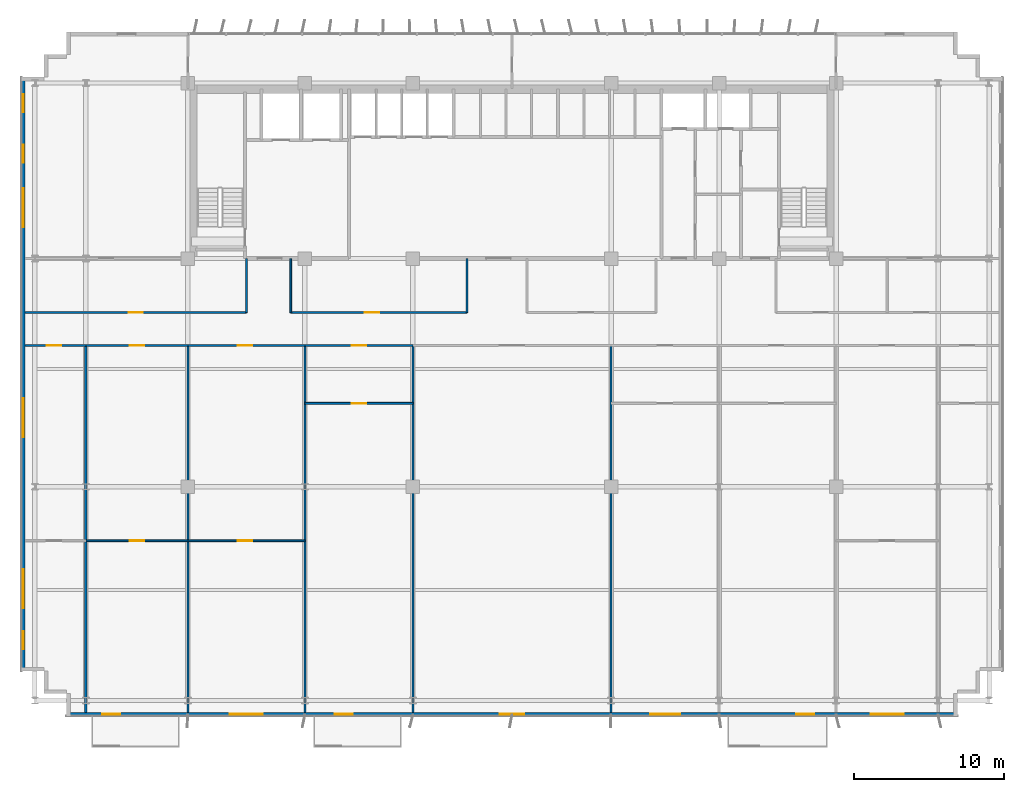
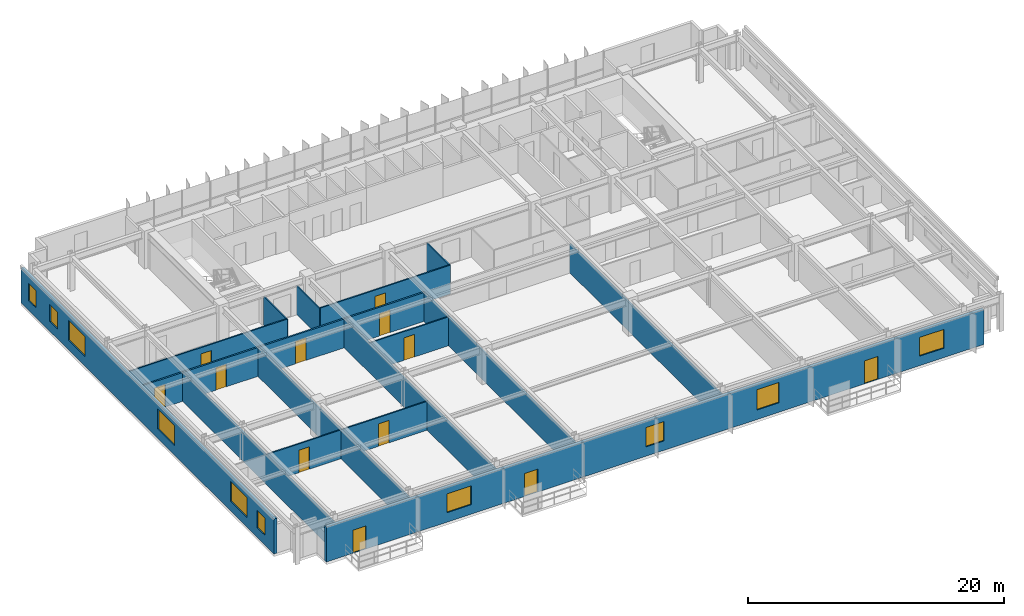
# One storey, part 15 of 21: 19 walls, 12 doors, 10 windows, 22 openings.
"""IFC4 building model written with IfcOpenShell, lengths in metres."""

from ifc_helpers import new_model, si_unit, direction, frame, frame_2d, origin, place, context, subcontext, project, spatial, rectangle, extrude, source, transform, mapped, material, layer, layer_set, type_object, element, fill, save


model = new_model("IFC4")

# Units and contexts
model_context = context("Model", 3, precision=1e-05, world=origin(), true_north=direction((0.0, 1.0)))
body_context = subcontext(model_context, "Body", "Model", "MODEL_VIEW")
ifc_project = project(units=[si_unit("LENGTHUNIT", "METRE"), si_unit("AREAUNIT", "SQUARE_METRE"), si_unit("VOLUMEUNIT", "CUBIC_METRE"), si_unit("PLANEANGLEUNIT", "RADIAN"), si_unit("MASSUNIT", "GRAM", prefix="KILO")], contexts=[model_context])

# Site, building, storey
site_placement = place(None, origin())
site = spatial("IfcSite", under=ifc_project, at=site_placement, CompositionType="ELEMENT")
building_placement = place(site_placement, origin())
building = spatial("IfcBuilding", under=site, at=building_placement, Name="Trelvane Seafront Commons", CompositionType="ELEMENT")
storey_placement = place(building_placement, frame((0.0, 0.0, 41.5)))
storey = spatial("IfcBuildingStorey", under=building, at=storey_placement, Name="L10", CompositionType="ELEMENT", Elevation=41.5)

# Wall, openings, windows
ifc_material_1 = material(Name="Precast concrete C40/50", Category="concrete")
ifc_layer_1 = layer(ifc_material_1, 0.260009765625, Name="ARCH-WALL-EXT260")
ifc_layer_set_1 = layer_set([ifc_layer_1], Name="Precast concrete C40/50")
wall_type_1 = type_object("IfcWallType", Name="ARCH-WALL-EXT260", PredefinedType="SOLIDWALL", material=ifc_layer_set_1)
wall_1_placement = place(storey_placement, frame((4.6298828125, 5.89990234375, 0.0), z_axis=(0.0, 0.0, 1.0), x_axis=(0.0, 1.0, 0.0)))
wall_1 = element("IfcWall", 1, at=wall_1_placement, inside=storey, type_object=wall_type_1, Name="EW-L10-00155", PredefinedType="SOLIDWALL", context=body_context, shape_type="SweptSolid", body=[
    extrude(rectangle(XDim=39.60009765625, YDim=0.260009765625, at=frame_2d((19.800048828125, 0.0))), origin(), (0.0, 0.0, 1.0), 3.340087890625),
])
opening_1_placement = place(wall_1_placement, frame((1.449951171875, 0.0, 0.919921875)))
opening_1 = element("IfcOpeningElement", 2, at=opening_1_placement, cuts=wall_1, Name="Opening W05", PredefinedType="OPENING", context=body_context, shape_type="SweptSolid", body=[
    extrude(rectangle(XDim=1.199951171875, YDim=1.64990234375, at=frame_2d((0.60009765625, 0.824951171875))), frame((0.0, 0.139892578125, 0.0), z_axis=(0.0, -1.0, 0.0), x_axis=(1.0, 0.0, 0.0)), (0.0, 0.0, 1.0), 0.280029296875),
])
opening_2_placement = place(wall_1_placement, frame((4.199951171875, 0.0, 0.919921875)))
opening_2 = element("IfcOpeningElement", 3, at=opening_2_placement, cuts=wall_1, Name="Opening W04", PredefinedType="OPENING", context=body_context, shape_type="SweptSolid", body=[
    extrude(rectangle(XDim=2.60009765625, YDim=1.89990234375, at=frame_2d((1.300048828125, 0.949951171875))), frame((0.0, 0.139892578125, 0.0), z_axis=(0.0, -1.0, 0.0), x_axis=(1.0, 0.0, 0.0)), (0.0, 0.0, 1.0), 0.280029296875),
])
opening_3_placement = place(wall_1_placement, frame((15.60009765625, 0.0, 0.919921875)))
opening_3 = element("IfcOpeningElement", 4, at=opening_3_placement, cuts=wall_1, Name="Opening W04", PredefinedType="OPENING", context=body_context, shape_type="SweptSolid", body=[
    extrude(rectangle(XDim=2.60009765625, YDim=1.89990234375, at=frame_2d((1.300048828125, 0.949951171875))), frame((0.0, 0.139892578125, 0.0), z_axis=(0.0, -1.0, 0.0), x_axis=(1.0, 0.0, 0.0)), (0.0, 0.0, 1.0), 0.280029296875),
])
opening_4_placement = place(wall_1_placement, frame((29.60009765625, 0.0, 0.919921875)))
opening_4 = element("IfcOpeningElement", 5, at=opening_4_placement, cuts=wall_1, Name="Opening W04", PredefinedType="OPENING", context=body_context, shape_type="SweptSolid", body=[
    extrude(rectangle(XDim=2.60009765625, YDim=1.89990234375, at=frame_2d((1.300048828125, 0.949951171875))), frame((0.0, 0.139892578125, 0.0), z_axis=(0.0, -1.0, 0.0), x_axis=(1.0, 0.0, 0.0)), (0.0, 0.0, 1.0), 0.280029296875),
])
opening_5_placement = place(wall_1_placement, frame((33.89990234375, 0.0, 0.919921875)))
opening_5 = element("IfcOpeningElement", 6, at=opening_5_placement, cuts=wall_1, Name="Opening W05", PredefinedType="OPENING", context=body_context, shape_type="SweptSolid", body=[
    extrude(rectangle(XDim=1.199951171875, YDim=1.64990234375, at=frame_2d((0.60009765625, 0.824951171875))), frame((0.0, 0.139892578125, 0.0), z_axis=(0.0, -1.0, 0.0), x_axis=(1.0, 0.0, 0.0)), (0.0, 0.0, 1.0), 0.280029296875),
])
opening_6_placement = place(wall_1_placement, frame((37.25, 0.0, 0.919921875)))
opening_6 = element("IfcOpeningElement", 7, at=opening_6_placement, cuts=wall_1, Name="Opening W05", PredefinedType="OPENING", context=body_context, shape_type="SweptSolid", body=[
    extrude(rectangle(XDim=1.199951171875, YDim=1.64990234375, at=frame_2d((0.60009765625, 0.824951171875))), frame((0.0, 0.139892578125, 0.0), z_axis=(0.0, -1.0, 0.0), x_axis=(1.0, 0.0, 0.0)), (0.0, 0.0, 1.0), 0.280029296875),
])
ifc_material_2 = material(Name="Low-E coastal double glazing", Category="glass")
window_type_1 = type_object("IfcWindowType", Name="ARCH-WIN-W04", PartitioningType="SINGLE_PANEL", PredefinedType="WINDOW", material=ifc_material_2)
shared_shape_1 = source(origin(), body_context, "Body", "SweptSolid", [
    extrude(rectangle(XDim=2.60009765625, YDim=1.89990234375, at=frame_2d((1.300048828125, 0.949951171875))), frame((0.0, 0.030029296875, 0.0), z_axis=(0.0, -1.0, 0.0), x_axis=(1.0, 0.0, 0.0)), (0.0, 0.0, 1.0), 0.06005859375),
])
window_1_placement = place(opening_2_placement, origin())
window_1 = element("IfcWindow", 8, at=window_1_placement, inside=storey, type_object=window_type_1, Name="WIN-L10-EW-00195", OverallHeight=1.89990234375, OverallWidth=2.60009765625, PartitioningType="SINGLE_PANEL", PredefinedType="WINDOW", context=body_context, shape_type="MappedRepresentation", body=[
    mapped(shared_shape_1, transform((0.0, 0.0, 0.0), x_axis=(1.0, 0.0, 0.0), y_axis=(0.0, 1.0, 0.0), z_axis=(0.0, 0.0, 1.0), scale=1.0)),
])
fill(opening_2, window_1)
window_2_placement = place(opening_3_placement, origin())
window_2 = element("IfcWindow", 9, at=window_2_placement, inside=storey, type_object=window_type_1, Name="WIN-L10-EW-00196", OverallHeight=1.89990234375, OverallWidth=2.60009765625, PartitioningType="SINGLE_PANEL", PredefinedType="WINDOW", context=body_context, shape_type="MappedRepresentation", body=[
    mapped(shared_shape_1, transform((0.0, 0.0, 0.0), x_axis=(1.0, 0.0, 0.0), y_axis=(0.0, 1.0, 0.0), z_axis=(0.0, 0.0, 1.0), scale=1.0)),
])
fill(opening_3, window_2)
window_3_placement = place(opening_4_placement, origin())
window_3 = element("IfcWindow", 10, at=window_3_placement, inside=storey, type_object=window_type_1, Name="WIN-L10-EW-00197", OverallHeight=1.89990234375, OverallWidth=2.60009765625, PartitioningType="SINGLE_PANEL", PredefinedType="WINDOW", context=body_context, shape_type="MappedRepresentation", body=[
    mapped(shared_shape_1, transform((0.0, 0.0, 0.0), x_axis=(1.0, 0.0, 0.0), y_axis=(0.0, 1.0, 0.0), z_axis=(0.0, 0.0, 1.0), scale=1.0)),
])
fill(opening_4, window_3)
window_type_2 = type_object("IfcWindowType", Name="ARCH-WIN-W05", PartitioningType="SINGLE_PANEL", PredefinedType="WINDOW", material=ifc_material_2)
shared_shape_2 = source(origin(), body_context, "Body", "SweptSolid", [
    extrude(rectangle(XDim=1.199951171875, YDim=1.64990234375, at=frame_2d((0.60009765625, 0.824951171875))), frame((0.0, 0.030029296875, 0.0), z_axis=(0.0, -1.0, 0.0), x_axis=(1.0, 0.0, 0.0)), (0.0, 0.0, 1.0), 0.06005859375),
])
window_4_placement = place(opening_1_placement, origin())
window_4 = element("IfcWindow", 11, at=window_4_placement, inside=storey, type_object=window_type_2, Name="WIN-L10-EW-00194", OverallHeight=1.64990234375, OverallWidth=1.199951171875, PartitioningType="SINGLE_PANEL", PredefinedType="WINDOW", context=body_context, shape_type="MappedRepresentation", body=[
    mapped(shared_shape_2, transform((0.0, 0.0, 0.0), x_axis=(1.0, 0.0, 0.0), y_axis=(0.0, 1.0, 0.0), z_axis=(0.0, 0.0, 1.0), scale=1.0)),
])
fill(opening_1, window_4)
window_5_placement = place(opening_5_placement, origin())
window_5 = element("IfcWindow", 12, at=window_5_placement, inside=storey, type_object=window_type_2, Name="WIN-L10-EW-00198", OverallHeight=1.64990234375, OverallWidth=1.199951171875, PartitioningType="SINGLE_PANEL", PredefinedType="WINDOW", context=body_context, shape_type="MappedRepresentation", body=[
    mapped(shared_shape_2, transform((0.0, 0.0, 0.0), x_axis=(1.0, 0.0, 0.0), y_axis=(0.0, 1.0, 0.0), z_axis=(0.0, 0.0, 1.0), scale=1.0)),
])
fill(opening_5, window_5)
window_6_placement = place(opening_6_placement, origin())
window_6 = element("IfcWindow", 13, at=window_6_placement, inside=storey, type_object=window_type_2, Name="WIN-L10-EW-00199", OverallHeight=1.64990234375, OverallWidth=1.199951171875, PartitioningType="SINGLE_PANEL", PredefinedType="WINDOW", context=body_context, shape_type="MappedRepresentation", body=[
    mapped(shared_shape_2, transform((0.0, 0.0, 0.0), x_axis=(1.0, 0.0, 0.0), y_axis=(0.0, 1.0, 0.0), z_axis=(0.0, 0.0, 1.0), scale=1.0)),
])
fill(opening_6, window_6)

# Wall, openings, doors, windows
wall_2_placement = place(storey_placement, frame((66.89990234375, 3.030029296875, 0.0), z_axis=(0.0, 0.0, 1.0), x_axis=(-1.0, 0.0, 0.0)))
wall_2 = element("IfcWall", 14, at=wall_2_placement, inside=storey, type_object=wall_type_1, Name="EW-L10-00169", PredefinedType="SOLIDWALL", context=body_context, shape_type="SweptSolid", body=[
    extrude(rectangle(XDim=59.39990234375, YDim=0.260009765625, at=frame_2d((29.699951171875, 0.0))), origin(), (0.0, 0.0, 1.0), 3.340087890625),
])
opening_7_placement = place(wall_2_placement, frame((3.60009765625, 0.0, 0.89990234375)))
opening_7 = element("IfcOpeningElement", 15, at=opening_7_placement, cuts=wall_2, Name="Opening W02", PredefinedType="OPENING", context=body_context, shape_type="SweptSolid", body=[
    extrude(rectangle(XDim=2.199951171875, YDim=1.800048828125, at=frame_2d((1.10009765625, 0.89990234375))), frame((0.0, 0.139892578125, 0.0), z_axis=(0.0, -1.0, 0.0), x_axis=(1.0, 0.0, 0.0)), (0.0, 0.0, 1.0), 0.280029296875),
])
opening_8_placement = place(wall_2_placement, frame((9.56494140625, 0.0, 0.0)))
opening_8 = element("IfcOpeningElement", 16, at=opening_8_placement, cuts=wall_2, Name="Opening BD-L10-27", PredefinedType="OPENING", context=body_context, shape_type="SweptSolid", body=[
    extrude(rectangle(XDim=1.199951171875, YDim=2.199951171875, at=frame_2d((0.60009765625, 1.10009765625))), frame((0.0, 0.139892578125, 0.0), z_axis=(0.0, -1.0, 0.0), x_axis=(1.0, 0.0, 0.0)), (0.0, 0.0, 1.0), 0.280029296875),
])
opening_9_placement = place(wall_2_placement, frame((18.5, 0.0, 0.89990234375)))
opening_9 = element("IfcOpeningElement", 17, at=opening_9_placement, cuts=wall_2, Name="Opening W06", PredefinedType="OPENING", context=body_context, shape_type="SweptSolid", body=[
    extrude(rectangle(XDim=2.0, YDim=1.949951171875, at=frame_2d((1.0, 0.97509765625))), frame((0.0, 0.139892578125, 0.0), z_axis=(0.0, -1.0, 0.0), x_axis=(1.0, 0.0, 0.0)), (0.0, 0.0, 1.0), 0.280029296875),
])
opening_10_placement = place(wall_2_placement, frame((28.875, 0.0, 0.89990234375)))
opening_10 = element("IfcOpeningElement", 18, at=opening_10_placement, cuts=wall_2, Name="Opening W07", PredefinedType="OPENING", context=body_context, shape_type="SweptSolid", body=[
    extrude(rectangle(XDim=1.64990234375, YDim=1.85009765625, at=frame_2d((0.824951171875, 0.925048828125))), frame((0.0, 0.139892578125, 0.0), z_axis=(0.0, -1.0, 0.0), x_axis=(1.0, 0.0, 0.0)), (0.0, 0.0, 1.0), 0.280029296875),
])
opening_11_placement = place(wall_2_placement, frame((40.301025390625, 0.0, 0.0)))
opening_11 = element("IfcOpeningElement", 19, at=opening_11_placement, cuts=wall_2, Name="Opening BD-L10-28", PredefinedType="OPENING", context=body_context, shape_type="SweptSolid", body=[
    extrude(rectangle(XDim=1.199951171875, YDim=2.199951171875, at=frame_2d((0.60009765625, 1.10009765625))), frame((0.0, 0.139892578125, 0.0), z_axis=(0.0, -1.0, 0.0), x_axis=(1.0, 0.0, 0.0)), (0.0, 0.0, 1.0), 0.280029296875),
])
opening_12_placement = place(wall_2_placement, frame((46.300048828125, 0.0, 0.89990234375)))
opening_12 = element("IfcOpeningElement", 20, at=opening_12_placement, cuts=wall_2, Name="Opening W02", PredefinedType="OPENING", context=body_context, shape_type="SweptSolid", body=[
    extrude(rectangle(XDim=2.199951171875, YDim=1.800048828125, at=frame_2d((1.10009765625, 0.89990234375))), frame((0.0, 0.139892578125, 0.0), z_axis=(0.0, -1.0, 0.0), x_axis=(1.0, 0.0, 0.0)), (0.0, 0.0, 1.0), 0.280029296875),
])
opening_13_placement = place(wall_2_placement, frame((55.81689453125, 0.0, 0.0)))
opening_13 = element("IfcOpeningElement", 21, at=opening_13_placement, cuts=wall_2, Name="Opening BD-L10-29", PredefinedType="OPENING", context=body_context, shape_type="SweptSolid", body=[
    extrude(rectangle(XDim=1.199951171875, YDim=2.199951171875, at=frame_2d((0.60009765625, 1.10009765625))), frame((0.0, 0.139892578125, 0.0), z_axis=(0.0, -1.0, 0.0), x_axis=(1.0, 0.0, 0.0)), (0.0, 0.0, 1.0), 0.280029296875),
])
ifc_material_3 = material(Name="Powder-coated aluminium frame", Category="aluminium")
door_type_1 = type_object("IfcDoorType", Name="ARCH-DR-BAL1200", OperationType="NOTDEFINED", PredefinedType="DOOR", material=ifc_material_3)
shared_shape_3 = source(origin(), body_context, "Body", "SweptSolid", [
    extrude(rectangle(XDim=1.199951171875, YDim=2.199951171875, at=frame_2d((0.60009765625, 1.10009765625))), frame((0.0, 0.02490234375, 0.0), z_axis=(0.0, -1.0, 0.0), x_axis=(1.0, 0.0, 0.0)), (0.0, 0.0, 1.0), 0.050048828125),
])
door_1_placement = place(opening_8_placement, origin())
door_1 = element("IfcDoor", 22, at=door_1_placement, inside=storey, type_object=door_type_1, Name="L10 Balcony Terrace Access Door", OperationType="SINGLE_SWING_LEFT", OverallHeight=2.199951171875, OverallWidth=1.199951171875, PredefinedType="DOOR", context=body_context, shape_type="MappedRepresentation", body=[
    mapped(shared_shape_3, transform((0.0, 0.0, 0.0), x_axis=(1.0, 0.0, 0.0), y_axis=(0.0, 1.0, 0.0), z_axis=(0.0, 0.0, 1.0), scale=1.0)),
])
fill(opening_8, door_1)
door_2_placement = place(opening_11_placement, origin())
door_2 = element("IfcDoor", 23, at=door_2_placement, inside=storey, type_object=door_type_1, Name="L10 Balcony Terrace Access Door", OperationType="SINGLE_SWING_LEFT", OverallHeight=2.199951171875, OverallWidth=1.199951171875, PredefinedType="DOOR", context=body_context, shape_type="MappedRepresentation", body=[
    mapped(shared_shape_3, transform((0.0, 0.0, 0.0), x_axis=(1.0, 0.0, 0.0), y_axis=(0.0, 1.0, 0.0), z_axis=(0.0, 0.0, 1.0), scale=1.0)),
])
fill(opening_11, door_2)
door_3_placement = place(opening_13_placement, origin())
door_3 = element("IfcDoor", 24, at=door_3_placement, inside=storey, type_object=door_type_1, Name="L10 Balcony Terrace Access Door", OperationType="SINGLE_SWING_LEFT", OverallHeight=2.199951171875, OverallWidth=1.199951171875, PredefinedType="DOOR", context=body_context, shape_type="MappedRepresentation", body=[
    mapped(shared_shape_3, transform((0.0, 0.0, 0.0), x_axis=(1.0, 0.0, 0.0), y_axis=(0.0, 1.0, 0.0), z_axis=(0.0, 0.0, 1.0), scale=1.0)),
])
fill(opening_13, door_3)
window_type_3 = type_object("IfcWindowType", Name="ARCH-WIN-W02", PartitioningType="SINGLE_PANEL", PredefinedType="WINDOW", material=ifc_material_2)
shared_shape_4 = source(origin(), body_context, "Body", "SweptSolid", [
    extrude(rectangle(XDim=2.199951171875, YDim=1.800048828125, at=frame_2d((1.10009765625, 0.89990234375))), frame((0.0, 0.030029296875, 0.0), z_axis=(0.0, -1.0, 0.0), x_axis=(1.0, 0.0, 0.0)), (0.0, 0.0, 1.0), 0.06005859375),
])
window_7_placement = place(opening_7_placement, origin())
window_7 = element("IfcWindow", 25, at=window_7_placement, inside=storey, type_object=window_type_3, Name="WIN-L10-00206", OverallHeight=1.800048828125, OverallWidth=2.199951171875, PartitioningType="SINGLE_PANEL", PredefinedType="WINDOW", context=body_context, shape_type="MappedRepresentation", body=[
    mapped(shared_shape_4, transform((0.0, 0.0, 0.0), x_axis=(1.0, 0.0, 0.0), y_axis=(0.0, 1.0, 0.0), z_axis=(0.0, 0.0, 1.0), scale=1.0)),
])
fill(opening_7, window_7)
window_8_placement = place(opening_12_placement, origin())
window_8 = element("IfcWindow", 26, at=window_8_placement, inside=storey, type_object=window_type_3, Name="WIN-L10-00209", OverallHeight=1.800048828125, OverallWidth=2.199951171875, PartitioningType="SINGLE_PANEL", PredefinedType="WINDOW", context=body_context, shape_type="MappedRepresentation", body=[
    mapped(shared_shape_4, transform((0.0, 0.0, 0.0), x_axis=(1.0, 0.0, 0.0), y_axis=(0.0, 1.0, 0.0), z_axis=(0.0, 0.0, 1.0), scale=1.0)),
])
fill(opening_12, window_8)
window_type_4 = type_object("IfcWindowType", Name="ARCH-WIN-W06", PartitioningType="SINGLE_PANEL", PredefinedType="WINDOW", material=ifc_material_2)
shared_shape_5 = source(origin(), body_context, "Body", "SweptSolid", [
    extrude(rectangle(XDim=2.0, YDim=1.949951171875, at=frame_2d((1.0, 0.97509765625))), frame((0.0, 0.030029296875, 0.0), z_axis=(0.0, -1.0, 0.0), x_axis=(1.0, 0.0, 0.0)), (0.0, 0.0, 1.0), 0.06005859375),
])
window_9_placement = place(opening_9_placement, origin())
window_9 = element("IfcWindow", 27, at=window_9_placement, inside=storey, type_object=window_type_4, Name="WIN-L10-00207", OverallHeight=1.949951171875, OverallWidth=2.0, PartitioningType="SINGLE_PANEL", PredefinedType="WINDOW", context=body_context, shape_type="MappedRepresentation", body=[
    mapped(shared_shape_5, transform((0.0, 0.0, 0.0), x_axis=(1.0, 0.0, 0.0), y_axis=(0.0, 1.0, 0.0), z_axis=(0.0, 0.0, 1.0), scale=1.0)),
])
fill(opening_9, window_9)
window_type_5 = type_object("IfcWindowType", Name="ARCH-WIN-W07", PartitioningType="SINGLE_PANEL", PredefinedType="WINDOW", material=ifc_material_2)
shared_shape_6 = source(origin(), body_context, "Body", "SweptSolid", [
    extrude(rectangle(XDim=1.64990234375, YDim=1.85009765625, at=frame_2d((0.824951171875, 0.925048828125))), frame((0.0, 0.030029296875, 0.0), z_axis=(0.0, -1.0, 0.0), x_axis=(1.0, 0.0, 0.0)), (0.0, 0.0, 1.0), 0.06005859375),
])
window_10_placement = place(opening_10_placement, origin())
window_10 = element("IfcWindow", 28, at=window_10_placement, inside=storey, type_object=window_type_5, Name="WIN-L10-00208", OverallHeight=1.85009765625, OverallWidth=1.64990234375, PartitioningType="SINGLE_PANEL", PredefinedType="WINDOW", context=body_context, shape_type="MappedRepresentation", body=[
    mapped(shared_shape_6, transform((0.0, 0.0, 0.0), x_axis=(1.0, 0.0, 0.0), y_axis=(0.0, 1.0, 0.0), z_axis=(0.0, 0.0, 1.0), scale=1.0)),
])
fill(opening_10, window_10)

# Wall, opening, door
ifc_material_4 = material(Name="Gypsum Drywall Acoustic Partition")
ifc_layer_2 = layer(ifc_material_4, 0.1201171875, Name="ARCH-WALL-PART120")
ifc_layer_set_2 = layer_set([ifc_layer_2], Name="Gypsum Drywall Acoustic Partition")
wall_type_2 = type_object("IfcWallType", Name="ARCH-WALL-PART120", PredefinedType="PARTITIONING", material=ifc_layer_set_2)
wall_3_placement = place(storey_placement, frame((4.75, 29.800048828125, 0.0), z_axis=(0.0, 0.0, 1.0), x_axis=(1.0, 0.0, 0.0)))
wall_3 = element("IfcWall", 29, at=wall_3_placement, inside=storey, type_object=wall_type_2, Name="W-L10-CORR-N-W-038", PredefinedType="PARTITIONING", context=body_context, shape_type="SweptSolid", body=[
    extrude(rectangle(XDim=14.75, YDim=0.1201171875, at=frame_2d((7.375, 0.0))), origin(), (0.0, 0.0, 1.0), 2.751953125),
])
opening_14_placement = place(wall_3_placement, frame((6.89990234375, 0.0, 0.0)))
opening_14 = element("IfcOpeningElement", 30, at=opening_14_placement, cuts=wall_3, Name="Opening D-L10-18", PredefinedType="OPENING", context=body_context, shape_type="SweptSolid", body=[
    extrude(rectangle(XDim=0.949951171875, YDim=2.14990234375, at=frame_2d((0.47509765625, 1.074951171875))), frame((0.0, 0.070068359375, 0.0), z_axis=(0.0, -1.0, 0.0), x_axis=(1.0, 0.0, 0.0)), (0.0, 0.0, 1.0), 0.14013671875),
])
ifc_material_5 = material(Name="Acoustic timber door leaf", Category="wood")
door_type_2 = type_object("IfcDoorType", Name="ARCH-DR-INT950", OperationType="NOTDEFINED", PredefinedType="DOOR", material=ifc_material_5)
shared_shape_7 = source(origin(), body_context, "Body", "SweptSolid", [
    extrude(rectangle(XDim=0.949951171875, YDim=2.14990234375, at=frame_2d((0.47509765625, 1.074951171875))), frame((0.0, 0.02490234375, 0.0), z_axis=(0.0, -1.0, 0.0), x_axis=(1.0, 0.0, 0.0)), (0.0, 0.0, 1.0), 0.050048828125),
])
door_4_placement = place(opening_14_placement, origin())
door_4 = element("IfcDoor", 31, at=door_4_placement, inside=storey, type_object=door_type_2, Name="L10 Door 18", OperationType="SINGLE_SWING_RIGHT", OverallHeight=2.14990234375, OverallWidth=0.949951171875, PredefinedType="DOOR", context=body_context, shape_type="MappedRepresentation", body=[
    mapped(shared_shape_7, transform((0.0, 0.0, 0.0), x_axis=(1.0, 0.0, 0.0), y_axis=(0.0, 1.0, 0.0), z_axis=(0.0, 0.0, 1.0), scale=1.0)),
])
fill(opening_14, door_4)

wall_4_placement = place(storey_placement, frame((22.449951171875, 29.800048828125, 0.0), z_axis=(0.0, 0.0, 1.0), x_axis=(1.0, 0.0, 0.0)))
wall_4 = element("IfcWall", 32, at=wall_4_placement, inside=storey, type_object=wall_type_2, Name="W-L10-CORR-N-M1-039", PredefinedType="PARTITIONING", context=body_context, shape_type="SweptSolid", body=[
    extrude(rectangle(XDim=11.75, YDim=0.1201171875, at=frame_2d((5.875, 0.0))), origin(), (0.0, 0.0, 1.0), 2.751953125),
])
opening_15_placement = place(wall_4_placement, frame((4.944091796875, 0.0, 0.0)))
opening_15 = element("IfcOpeningElement", 33, at=opening_15_placement, cuts=wall_4, Name="Opening D-L10-19", PredefinedType="OPENING", context=body_context, shape_type="SweptSolid", body=[
    extrude(rectangle(XDim=0.949951171875, YDim=2.14990234375, at=frame_2d((0.47509765625, 1.074951171875))), frame((0.0, 0.070068359375, 0.0), z_axis=(0.0, -1.0, 0.0), x_axis=(1.0, 0.0, 0.0)), (0.0, 0.0, 1.0), 0.14013671875),
])
door_5_placement = place(opening_15_placement, origin())
door_5 = element("IfcDoor", 34, at=door_5_placement, inside=storey, type_object=door_type_2, Name="L10 Door 19", OperationType="SINGLE_SWING_LEFT", OverallHeight=2.14990234375, OverallWidth=0.949951171875, PredefinedType="DOOR", context=body_context, shape_type="MappedRepresentation", body=[
    mapped(shared_shape_7, transform((0.0, 0.0, 0.0), x_axis=(1.0, 0.0, 0.0), y_axis=(0.0, 1.0, 0.0), z_axis=(0.0, 0.0, 1.0), scale=1.0)),
])
fill(opening_15, door_5)

# Walls
for number, where, z_axis, x_axis, name in (
    (35, (19.5, 29.800048828125, 0.0), (0.0, 0.0, 1.0), (0.0, 1.0, 0.0), "W-L10-N-SPUR-W1-043"),
    (36, (22.449951171875, 29.800048828125, 0.0), (0.0, 0.0, 1.0), (0.0, 1.0, 0.0), "W-L10-N-SPUR-W2-044"),
    (37, (34.199951171875, 29.800048828125, 0.0), (0.0, 0.0, 1.0), (0.0, 1.0, 0.0), "W-L10-N-SPUR-M1-045"),
):
    element("IfcWall", number, at=place(storey_placement, frame(where, z_axis=z_axis, x_axis=x_axis)), inside=storey, type_object=wall_type_2, Name=name, PredefinedType="PARTITIONING", context=body_context, shape_type="SweptSolid", body=[
        extrude(rectangle(XDim=3.599853515625, YDim=0.1201171875, at=frame_2d((1.7998046875, 0.0))), origin(), (0.0, 0.0, 1.0), 2.68994140625),
    ])

# Wall, opening, door
wall_5_placement = place(storey_placement, frame((8.800048828125, 14.60009765625, 0.0), z_axis=(0.0, 0.0, 1.0), x_axis=(1.0, 0.0, 0.0)))
wall_5 = element("IfcWall", 38, at=wall_5_placement, inside=storey, type_object=wall_type_2, Name="W-L10-U2-DIV-065", PredefinedType="PARTITIONING", context=body_context, shape_type="SweptSolid", body=[
    extrude(rectangle(XDim=6.800048828125, YDim=0.1201171875, at=frame_2d((3.39990234375, 0.0))), origin(), (0.0, 0.0, 1.0), 2.751953125),
])
opening_16_placement = place(wall_5_placement, frame((2.925048828125, 0.0, 0.0)))
opening_16 = element("IfcOpeningElement", 39, at=opening_16_placement, cuts=wall_5, Name="Opening D-L10-31", PredefinedType="OPENING", context=body_context, shape_type="SweptSolid", body=[
    extrude(rectangle(XDim=0.949951171875, YDim=2.14990234375, at=frame_2d((0.47509765625, 1.074951171875))), frame((0.0, 0.070068359375, 0.0), z_axis=(0.0, -1.0, 0.0), x_axis=(1.0, 0.0, 0.0)), (0.0, 0.0, 1.0), 0.14013671875),
])
door_6_placement = place(opening_16_placement, origin())
door_6 = element("IfcDoor", 40, at=door_6_placement, inside=storey, type_object=door_type_2, Name="L10 Door 31", OperationType="SINGLE_SWING_LEFT", OverallHeight=2.14990234375, OverallWidth=0.949951171875, PredefinedType="DOOR", context=body_context, shape_type="MappedRepresentation", body=[
    mapped(shared_shape_7, transform((0.0, 0.0, 0.0), x_axis=(1.0, 0.0, 0.0), y_axis=(0.0, 1.0, 0.0), z_axis=(0.0, 0.0, 1.0), scale=1.0)),
])
fill(opening_16, door_6)

wall_6_placement = place(storey_placement, frame((15.60009765625, 14.60009765625, 0.0), z_axis=(0.0, 0.0, 1.0), x_axis=(1.0, 0.0, 0.0)))
wall_6 = element("IfcWall", 41, at=wall_6_placement, inside=storey, type_object=wall_type_2, Name="W-L10-U3-DIV-067", PredefinedType="PARTITIONING", context=body_context, shape_type="SweptSolid", body=[
    extrude(rectangle(XDim=7.7998046875, YDim=0.1201171875, at=frame_2d((3.89990234375, 0.0))), origin(), (0.0, 0.0, 1.0), 2.751953125),
])
opening_17_placement = place(wall_6_placement, frame((3.3330078125, 0.0, 0.0)))
opening_17 = element("IfcOpeningElement", 42, at=opening_17_placement, cuts=wall_6, Name="Opening D-L10-33", PredefinedType="OPENING", context=body_context, shape_type="SweptSolid", body=[
    extrude(rectangle(XDim=0.949951171875, YDim=2.14990234375, at=frame_2d((0.47509765625, 1.074951171875))), frame((0.0, 0.070068359375, 0.0), z_axis=(0.0, -1.0, 0.0), x_axis=(1.0, 0.0, 0.0)), (0.0, 0.0, 1.0), 0.14013671875),
])
door_7_placement = place(opening_17_placement, origin())
door_7 = element("IfcDoor", 43, at=door_7_placement, inside=storey, type_object=door_type_2, Name="L10 Door 33", OperationType="SINGLE_SWING_LEFT", OverallHeight=2.14990234375, OverallWidth=0.949951171875, PredefinedType="DOOR", context=body_context, shape_type="MappedRepresentation", body=[
    mapped(shared_shape_7, transform((0.0, 0.0, 0.0), x_axis=(1.0, 0.0, 0.0), y_axis=(0.0, 1.0, 0.0), z_axis=(0.0, 0.0, 1.0), scale=1.0)),
])
fill(opening_17, door_7)

wall_7_placement = place(storey_placement, frame((23.39990234375, 23.75, 0.0), z_axis=(0.0, 0.0, 1.0), x_axis=(1.0, 0.0, 0.0)))
wall_7 = element("IfcWall", 44, at=wall_7_placement, inside=storey, type_object=wall_type_2, Name="W-L10-U4-DIV-069", PredefinedType="PARTITIONING", context=body_context, shape_type="SweptSolid", body=[
    extrude(rectangle(XDim=7.2001953125, YDim=0.1201171875, at=frame_2d((3.60009765625, 0.0))), origin(), (0.0, 0.0, 1.0), 2.751953125),
])
opening_18_placement = place(wall_7_placement, frame((3.125, 0.0, 0.0)))
opening_18 = element("IfcOpeningElement", 45, at=opening_18_placement, cuts=wall_7, Name="Opening D-L10-35", PredefinedType="OPENING", context=body_context, shape_type="SweptSolid", body=[
    extrude(rectangle(XDim=0.949951171875, YDim=2.14990234375, at=frame_2d((0.47509765625, 1.074951171875))), frame((0.0, 0.070068359375, 0.0), z_axis=(0.0, -1.0, 0.0), x_axis=(1.0, 0.0, 0.0)), (0.0, 0.0, 1.0), 0.14013671875),
])
door_8_placement = place(opening_18_placement, origin())
door_8 = element("IfcDoor", 46, at=door_8_placement, inside=storey, type_object=door_type_2, Name="L10 Door 35", OperationType="SINGLE_SWING_LEFT", OverallHeight=2.14990234375, OverallWidth=0.949951171875, PredefinedType="DOOR", context=body_context, shape_type="MappedRepresentation", body=[
    mapped(shared_shape_7, transform((0.0, 0.0, 0.0), x_axis=(1.0, 0.0, 0.0), y_axis=(0.0, 1.0, 0.0), z_axis=(0.0, 0.0, 1.0), scale=1.0)),
])
fill(opening_18, door_8)

# Walls
ifc_layer_3 = layer(ifc_material_4, 0.14990234375, Name="ARCH-WALL-PART150")
ifc_layer_set_3 = layer_set([ifc_layer_3], Name="Gypsum Drywall Acoustic Partition")
wall_type_3 = type_object("IfcWallType", Name="ARCH-WALL-PART150", PredefinedType="PARTITIONING", material=ifc_layer_set_3)
for number, where, z_axis, x_axis, name in (
    (47, (8.800048828125, 3.14501953125, 0.0), (0.0, 0.0, 1.0), (0.0, 1.0, 0.0), "W-L10-PW-1-054"),
    (48, (15.60009765625, 3.14501953125, 0.0), (0.0, 0.0, 1.0), (0.0, 1.0, 0.0), "W-L10-PW-2-055"),
    (49, (23.39990234375, 3.14501953125, 0.0), (0.0, 0.0, 1.0), (0.0, 1.0, 0.0), "W-L10-PW-3-056"),
    (50, (30.60009765625, 3.14501953125, 0.0), (0.0, 0.0, 1.0), (0.0, 1.0, 0.0), "W-L10-PW-4-057"),
    (51, (43.800048828125, 3.14501953125, 0.0), (0.0, 0.0, 1.0), (0.0, 1.0, 0.0), "W-L10-PW-5-058"),
):
    element("IfcWall", number, at=place(storey_placement, frame(where, z_axis=z_axis, x_axis=x_axis)), inside=storey, type_object=wall_type_3, Name=name, PredefinedType="PARTITIONING", context=body_context, shape_type="SweptSolid", body=[
        extrude(rectangle(XDim=24.455078125, YDim=0.14990234375, at=frame_2d((12.2275390625, 0.0))), origin(), (0.0, 0.0, 1.0), 2.751953125),
    ])

# Wall, opening, door
wall_8_placement = place(storey_placement, frame((4.7451171875, 27.60009765625, 0.0), z_axis=(0.0, 0.0, 1.0), x_axis=(1.0, 0.0, 0.0)))
wall_8 = element("IfcWall", 52, at=wall_8_placement, inside=storey, type_object=wall_type_3, Name="W-L10-CS-BAY-1-062", PredefinedType="PARTITIONING", context=body_context, shape_type="SweptSolid", body=[
    extrude(rectangle(XDim=4.054931640625, YDim=0.14990234375, at=frame_2d((2.02734375, 0.0))), origin(), (0.0, 0.0, 1.0), 2.751953125),
])
opening_19_placement = place(wall_8_placement, frame((1.4619140625, 0.0, 0.0)))
opening_19 = element("IfcOpeningElement", 53, at=opening_19_placement, cuts=wall_8, Name="Opening FD-L10-28", PredefinedType="OPENING", context=body_context, shape_type="SweptSolid", body=[
    extrude(rectangle(XDim=0.949951171875, YDim=2.14990234375, at=frame_2d((0.47509765625, 1.074951171875))), frame((0.0, 0.0849609375, 0.0), z_axis=(0.0, -1.0, 0.0), x_axis=(1.0, 0.0, 0.0)), (0.0, 0.0, 1.0), 0.169921875),
])
door_type_3 = type_object("IfcDoorType", Name="ARCH-DR-FD60-950", OperationType="NOTDEFINED", PredefinedType="DOOR", material=ifc_material_3)
door_9_placement = place(opening_19_placement, origin())
door_9 = element("IfcDoor", 54, at=door_9_placement, inside=storey, type_object=door_type_3, Name="L10 Bay 01 Entrance Door", OperationType="SINGLE_SWING_RIGHT", OverallHeight=2.14990234375, OverallWidth=0.949951171875, PredefinedType="DOOR", context=body_context, shape_type="MappedRepresentation", body=[
    mapped(shared_shape_7, transform((0.0, 0.0, 0.0), x_axis=(1.0, 0.0, 0.0), y_axis=(0.0, 1.0, 0.0), z_axis=(0.0, 0.0, 1.0), scale=1.0)),
])
fill(opening_19, door_9)

wall_9_placement = place(storey_placement, frame((8.800048828125, 27.60009765625, 0.0), z_axis=(0.0, 0.0, 1.0), x_axis=(1.0, 0.0, 0.0)))
wall_9 = element("IfcWall", 55, at=wall_9_placement, inside=storey, type_object=wall_type_3, Name="W-L10-CS-BAY-2-064", PredefinedType="PARTITIONING", context=body_context, shape_type="SweptSolid", body=[
    extrude(rectangle(XDim=6.800048828125, YDim=0.14990234375, at=frame_2d((3.39990234375, 0.0))), origin(), (0.0, 0.0, 1.0), 2.751953125),
])
opening_20_placement = place(wall_9_placement, frame((2.925048828125, 0.0, 0.0)))
opening_20 = element("IfcOpeningElement", 56, at=opening_20_placement, cuts=wall_9, Name="Opening FD-L10-30", PredefinedType="OPENING", context=body_context, shape_type="SweptSolid", body=[
    extrude(rectangle(XDim=0.949951171875, YDim=2.14990234375, at=frame_2d((0.47509765625, 1.074951171875))), frame((0.0, 0.0849609375, 0.0), z_axis=(0.0, -1.0, 0.0), x_axis=(1.0, 0.0, 0.0)), (0.0, 0.0, 1.0), 0.169921875),
])
door_10_placement = place(opening_20_placement, origin())
door_10 = element("IfcDoor", 57, at=door_10_placement, inside=storey, type_object=door_type_3, Name="L10 Bay 02 Entrance Door", OperationType="SINGLE_SWING_RIGHT", OverallHeight=2.14990234375, OverallWidth=0.949951171875, PredefinedType="DOOR", context=body_context, shape_type="MappedRepresentation", body=[
    mapped(shared_shape_7, transform((0.0, 0.0, 0.0), x_axis=(1.0, 0.0, 0.0), y_axis=(0.0, 1.0, 0.0), z_axis=(0.0, 0.0, 1.0), scale=1.0)),
])
fill(opening_20, door_10)

wall_10_placement = place(storey_placement, frame((15.60009765625, 27.60009765625, 0.0), z_axis=(0.0, 0.0, 1.0), x_axis=(1.0, 0.0, 0.0)))
wall_10 = element("IfcWall", 58, at=wall_10_placement, inside=storey, type_object=wall_type_3, Name="W-L10-CS-BAY-3-066", PredefinedType="PARTITIONING", context=body_context, shape_type="SweptSolid", body=[
    extrude(rectangle(XDim=7.7998046875, YDim=0.14990234375, at=frame_2d((3.89990234375, 0.0))), origin(), (0.0, 0.0, 1.0), 2.751953125),
])
opening_21_placement = place(wall_10_placement, frame((3.3330078125, 0.0, 0.0)))
opening_21 = element("IfcOpeningElement", 59, at=opening_21_placement, cuts=wall_10, Name="Opening FD-L10-32", PredefinedType="OPENING", context=body_context, shape_type="SweptSolid", body=[
    extrude(rectangle(XDim=0.949951171875, YDim=2.14990234375, at=frame_2d((0.47509765625, 1.074951171875))), frame((0.0, 0.0849609375, 0.0), z_axis=(0.0, -1.0, 0.0), x_axis=(1.0, 0.0, 0.0)), (0.0, 0.0, 1.0), 0.169921875),
])
door_11_placement = place(opening_21_placement, origin())
door_11 = element("IfcDoor", 60, at=door_11_placement, inside=storey, type_object=door_type_3, Name="L10 Bay 03 Entrance Door", OperationType="SINGLE_SWING_RIGHT", OverallHeight=2.14990234375, OverallWidth=0.949951171875, PredefinedType="DOOR", context=body_context, shape_type="MappedRepresentation", body=[
    mapped(shared_shape_7, transform((0.0, 0.0, 0.0), x_axis=(1.0, 0.0, 0.0), y_axis=(0.0, 1.0, 0.0), z_axis=(0.0, 0.0, 1.0), scale=1.0)),
])
fill(opening_21, door_11)

wall_11_placement = place(storey_placement, frame((23.39990234375, 27.60009765625, 0.0), z_axis=(0.0, 0.0, 1.0), x_axis=(1.0, 0.0, 0.0)))
wall_11 = element("IfcWall", 61, at=wall_11_placement, inside=storey, type_object=wall_type_3, Name="W-L10-CS-BAY-4-068", PredefinedType="PARTITIONING", context=body_context, shape_type="SweptSolid", body=[
    extrude(rectangle(XDim=7.2001953125, YDim=0.14990234375, at=frame_2d((3.60009765625, 0.0))), origin(), (0.0, 0.0, 1.0), 2.751953125),
])
opening_22_placement = place(wall_11_placement, frame((3.125, 0.0, 0.0)))
opening_22 = element("IfcOpeningElement", 62, at=opening_22_placement, cuts=wall_11, Name="Opening FD-L10-34", PredefinedType="OPENING", context=body_context, shape_type="SweptSolid", body=[
    extrude(rectangle(XDim=0.949951171875, YDim=2.14990234375, at=frame_2d((0.47509765625, 1.074951171875))), frame((0.0, 0.0849609375, 0.0), z_axis=(0.0, -1.0, 0.0), x_axis=(1.0, 0.0, 0.0)), (0.0, 0.0, 1.0), 0.169921875),
])
door_12_placement = place(opening_22_placement, origin())
door_12 = element("IfcDoor", 63, at=door_12_placement, inside=storey, type_object=door_type_3, Name="L10 Bay 04 Entrance Door", OperationType="SINGLE_SWING_RIGHT", OverallHeight=2.14990234375, OverallWidth=0.949951171875, PredefinedType="DOOR", context=body_context, shape_type="MappedRepresentation", body=[
    mapped(shared_shape_7, transform((0.0, 0.0, 0.0), x_axis=(1.0, 0.0, 0.0), y_axis=(0.0, 1.0, 0.0), z_axis=(0.0, 0.0, 1.0), scale=1.0)),
])
fill(opening_22, door_12)

save(model, "model.ifc")
